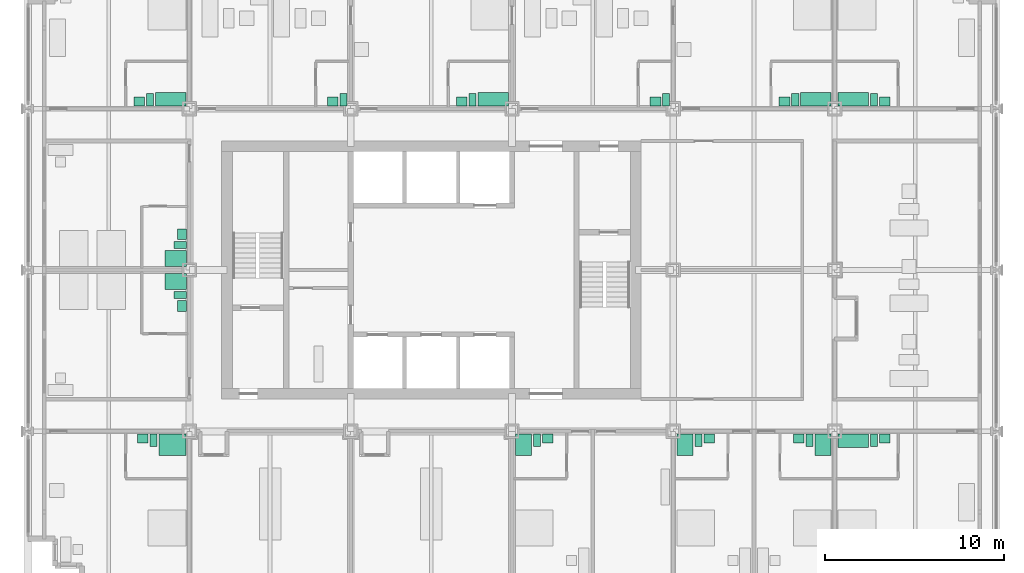
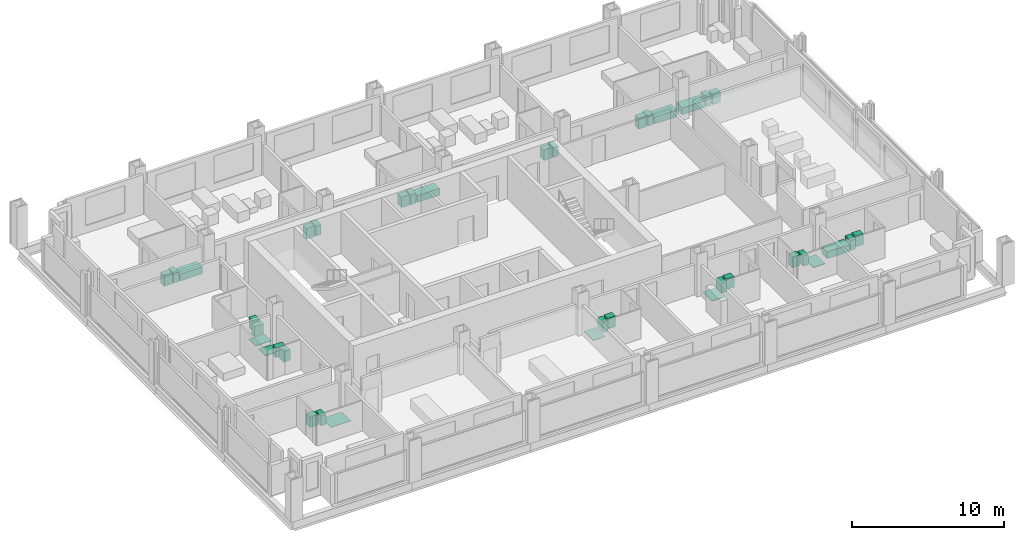
# One storey, part 17 of 18: 37 sanitary terminals.
"""IFC4 building model written with IfcOpenShell, lengths in metres."""

from ifc_helpers import new_model, si_unit, direction, frame, origin, origin_2d, place, context, subcontext, project, spatial, rectangle, extrude, element, save


model = new_model("IFC4")

# Units and contexts
model_context = context("Model", 3, precision=1e-05, world=origin(), true_north=direction((0.0, 1.0)))
body_context = subcontext(model_context, "Body", "Model", "MODEL_VIEW")
ifc_project = project(units=[si_unit("LENGTHUNIT", "METRE"), si_unit("AREAUNIT", "SQUARE_METRE"), si_unit("VOLUMEUNIT", "CUBIC_METRE"), si_unit("PLANEANGLEUNIT", "RADIAN"), si_unit("MASSUNIT", "GRAM", prefix="KILO")], contexts=[model_context])

# Site, building, storey
site_placement = place(None, origin())
site = spatial("IfcSite", under=ifc_project, at=site_placement, CompositionType="ELEMENT")
building_placement = place(site_placement, origin())
building = spatial("IfcBuilding", under=site, at=building_placement, Name="Loomwork Tower", CompositionType="ELEMENT")
storey_placement = place(building_placement, frame((0.0, 0.0, 28.0)))
storey = spatial("IfcBuildingStorey", under=building, at=storey_placement, Name="L05", CompositionType="ELEMENT", Elevation=28.0)

# Sanitary terminals
sanitary_terminal_1_placement = place(storey_placement, frame((8.050048828125, 8.25, 0.0), z_axis=(0.0, 0.0, 1.0), x_axis=(1.0, 0.0, 0.0)))
element("IfcSanitaryTerminal", 1, at=sanitary_terminal_1_placement, inside=storey, Name="Roll-in shower floor L05", PredefinedType="SHOWER", context=body_context, shape_type="SweptSolid", body=[
    extrude(rectangle(XDim=1.5, YDim=1.199951171875, at=origin_2d()), origin(), (0.0, 0.0, 1.0), 0.030029296875),
])
sanitary_terminal_2_placement = place(storey_placement, frame((7.0, 8.5, 0.0), z_axis=(0.0, 0.0, 1.0), x_axis=(1.0, 0.0, 0.0)))
element("IfcSanitaryTerminal", 2, at=sanitary_terminal_2_placement, inside=storey, Name="WC L05", PredefinedType="TOILETPAN", context=body_context, shape_type="SweptSolid", body=[
    extrude(rectangle(XDim=0.39990234375, YDim=0.699951171875, at=origin_2d()), origin(), (0.0, 0.0, 1.0), 0.800048828125),
])
sanitary_terminal_3_placement = place(storey_placement, frame((6.39990234375, 8.60009765625, 0.0), z_axis=(0.0, 0.0, 1.0), x_axis=(1.0, 0.0, 0.0)))
element("IfcSanitaryTerminal", 3, at=sanitary_terminal_3_placement, inside=storey, Name="Basin vanity L05", PredefinedType="WASHHANDBASIN", context=body_context, shape_type="SweptSolid", body=[
    extrude(rectangle(XDim=0.60009765625, YDim=0.5, at=origin_2d()), origin(), (0.0, 0.0, 1.0), 0.85009765625),
])
sanitary_terminal_4_placement = place(storey_placement, frame((27.64990234375, 8.25, 0.0), z_axis=(0.0, 0.0, 1.0), x_axis=(1.0, 0.0, 0.0)))
element("IfcSanitaryTerminal", 4, at=sanitary_terminal_4_placement, inside=storey, Name="Shower tray L05", PredefinedType="SHOWER", context=body_context, shape_type="SweptSolid", body=[
    extrude(rectangle(XDim=0.89990234375, YDim=1.199951171875, at=origin_2d()), origin(), (0.0, 0.0, 1.0), 0.050048828125),
])
sanitary_terminal_5_placement = place(storey_placement, frame((28.39990234375, 8.5, 0.0), z_axis=(0.0, 0.0, 1.0), x_axis=(1.0, 0.0, 0.0)))
element("IfcSanitaryTerminal", 5, at=sanitary_terminal_5_placement, inside=storey, Name="WC L05", PredefinedType="TOILETPAN", context=body_context, shape_type="SweptSolid", body=[
    extrude(rectangle(XDim=0.39990234375, YDim=0.699951171875, at=origin_2d()), origin(), (0.0, 0.0, 1.0), 0.800048828125),
])
sanitary_terminal_6_placement = place(storey_placement, frame((29.0, 8.60009765625, 0.0), z_axis=(0.0, 0.0, 1.0), x_axis=(1.0, 0.0, 0.0)))
element("IfcSanitaryTerminal", 6, at=sanitary_terminal_6_placement, inside=storey, Name="Basin vanity L05", PredefinedType="WASHHANDBASIN", context=body_context, shape_type="SweptSolid", body=[
    extrude(rectangle(XDim=0.60009765625, YDim=0.5, at=origin_2d()), origin(), (0.0, 0.0, 1.0), 0.85009765625),
])
sanitary_terminal_7_placement = place(storey_placement, frame((36.64990234375, 8.25, 0.0), z_axis=(0.0, 0.0, 1.0), x_axis=(1.0, 0.0, 0.0)))
element("IfcSanitaryTerminal", 7, at=sanitary_terminal_7_placement, inside=storey, Name="Shower tray L05", PredefinedType="SHOWER", context=body_context, shape_type="SweptSolid", body=[
    extrude(rectangle(XDim=0.89990234375, YDim=1.199951171875, at=origin_2d()), origin(), (0.0, 0.0, 1.0), 0.050048828125),
])
sanitary_terminal_8_placement = place(storey_placement, frame((37.39990234375, 8.5, 0.0), z_axis=(0.0, 0.0, 1.0), x_axis=(1.0, 0.0, 0.0)))
element("IfcSanitaryTerminal", 8, at=sanitary_terminal_8_placement, inside=storey, Name="WC L05", PredefinedType="TOILETPAN", context=body_context, shape_type="SweptSolid", body=[
    extrude(rectangle(XDim=0.39990234375, YDim=0.699951171875, at=origin_2d()), origin(), (0.0, 0.0, 1.0), 0.800048828125),
])
sanitary_terminal_9_placement = place(storey_placement, frame((38.0, 8.60009765625, 0.0), z_axis=(0.0, 0.0, 1.0), x_axis=(1.0, 0.0, 0.0)))
element("IfcSanitaryTerminal", 9, at=sanitary_terminal_9_placement, inside=storey, Name="Basin vanity L05", PredefinedType="WASHHANDBASIN", context=body_context, shape_type="SweptSolid", body=[
    extrude(rectangle(XDim=0.60009765625, YDim=0.5, at=origin_2d()), origin(), (0.0, 0.0, 1.0), 0.85009765625),
])
sanitary_terminal_10_placement = place(storey_placement, frame((44.35009765625, 8.25, 0.0), z_axis=(0.0, 0.0, 1.0), x_axis=(1.0, 0.0, 0.0)))
element("IfcSanitaryTerminal", 10, at=sanitary_terminal_10_placement, inside=storey, Name="Shower tray L05", PredefinedType="SHOWER", context=body_context, shape_type="SweptSolid", body=[
    extrude(rectangle(XDim=0.89990234375, YDim=1.199951171875, at=origin_2d()), origin(), (0.0, 0.0, 1.0), 0.050048828125),
])
sanitary_terminal_11_placement = place(storey_placement, frame((43.60009765625, 8.5, 0.0), z_axis=(0.0, 0.0, 1.0), x_axis=(1.0, 0.0, 0.0)))
element("IfcSanitaryTerminal", 11, at=sanitary_terminal_11_placement, inside=storey, Name="WC L05", PredefinedType="TOILETPAN", context=body_context, shape_type="SweptSolid", body=[
    extrude(rectangle(XDim=0.39990234375, YDim=0.699951171875, at=origin_2d()), origin(), (0.0, 0.0, 1.0), 0.800048828125),
])
sanitary_terminal_12_placement = place(storey_placement, frame((43.0, 8.60009765625, 0.0), z_axis=(0.0, 0.0, 1.0), x_axis=(1.0, 0.0, 0.0)))
element("IfcSanitaryTerminal", 12, at=sanitary_terminal_12_placement, inside=storey, Name="Basin vanity L05", PredefinedType="WASHHANDBASIN", context=body_context, shape_type="SweptSolid", body=[
    extrude(rectangle(XDim=0.60009765625, YDim=0.5, at=origin_2d()), origin(), (0.0, 0.0, 1.0), 0.85009765625),
])
sanitary_terminal_13_placement = place(storey_placement, frame((46.050048828125, 8.47509765625, 0.0), z_axis=(0.0, 0.0, 1.0), x_axis=(1.0, 0.0, 0.0)))
element("IfcSanitaryTerminal", 13, at=sanitary_terminal_13_placement, inside=storey, Name="Bath L05", PredefinedType="BATH", context=body_context, shape_type="SweptSolid", body=[
    extrude(rectangle(XDim=1.699951171875, YDim=0.75, at=origin_2d()), origin(), (0.0, 0.0, 1.0), 0.550048828125),
])
sanitary_terminal_14_placement = place(storey_placement, frame((47.199951171875, 8.5, 0.0), z_axis=(0.0, 0.0, 1.0), x_axis=(1.0, 0.0, 0.0)))
element("IfcSanitaryTerminal", 14, at=sanitary_terminal_14_placement, inside=storey, Name="WC L05", PredefinedType="TOILETPAN", context=body_context, shape_type="SweptSolid", body=[
    extrude(rectangle(XDim=0.39990234375, YDim=0.699951171875, at=origin_2d()), origin(), (0.0, 0.0, 1.0), 0.800048828125),
])
sanitary_terminal_15_placement = place(storey_placement, frame((47.800048828125, 8.60009765625, 0.0), z_axis=(0.0, 0.0, 1.0), x_axis=(1.0, 0.0, 0.0)))
element("IfcSanitaryTerminal", 15, at=sanitary_terminal_15_placement, inside=storey, Name="Basin vanity L05", PredefinedType="WASHHANDBASIN", context=body_context, shape_type="SweptSolid", body=[
    extrude(rectangle(XDim=0.60009765625, YDim=0.5, at=origin_2d()), origin(), (0.0, 0.0, 1.0), 0.85009765625),
])
sanitary_terminal_16_placement = place(storey_placement, frame((7.949951171875, 27.52490234375, 0.0), z_axis=(0.0, 0.0, 1.0), x_axis=(1.0, 0.0, 0.0)))
element("IfcSanitaryTerminal", 16, at=sanitary_terminal_16_placement, inside=storey, Name="Bath L05", PredefinedType="BATH", context=body_context, shape_type="SweptSolid", body=[
    extrude(rectangle(XDim=1.699951171875, YDim=0.75, at=origin_2d()), origin(), (0.0, 0.0, 1.0), 0.550048828125),
])
sanitary_terminal_17_placement = place(storey_placement, frame((6.800048828125, 27.5, 0.0), z_axis=(0.0, 0.0, 1.0), x_axis=(1.0, 0.0, 0.0)))
element("IfcSanitaryTerminal", 17, at=sanitary_terminal_17_placement, inside=storey, Name="WC L05", PredefinedType="TOILETPAN", context=body_context, shape_type="SweptSolid", body=[
    extrude(rectangle(XDim=0.39990234375, YDim=0.699951171875, at=origin_2d()), origin(), (0.0, 0.0, 1.0), 0.800048828125),
])
sanitary_terminal_18_placement = place(storey_placement, frame((6.199951171875, 27.39990234375, 0.0), z_axis=(0.0, 0.0, 1.0), x_axis=(1.0, 0.0, 0.0)))
element("IfcSanitaryTerminal", 18, at=sanitary_terminal_18_placement, inside=storey, Name="Basin vanity L05", PredefinedType="WASHHANDBASIN", context=body_context, shape_type="SweptSolid", body=[
    extrude(rectangle(XDim=0.60009765625, YDim=0.5, at=origin_2d()), origin(), (0.0, 0.0, 1.0), 0.85009765625),
])
sanitary_terminal_19_placement = place(storey_placement, frame((17.60009765625, 27.5, 0.0), z_axis=(0.0, 0.0, 1.0), x_axis=(1.0, 0.0, 0.0)))
element("IfcSanitaryTerminal", 19, at=sanitary_terminal_19_placement, inside=storey, Name="WC L05", PredefinedType="TOILETPAN", context=body_context, shape_type="SweptSolid", body=[
    extrude(rectangle(XDim=0.39990234375, YDim=0.699951171875, at=origin_2d()), origin(), (0.0, 0.0, 1.0), 0.800048828125),
])
sanitary_terminal_20_placement = place(storey_placement, frame((17.0, 27.39990234375, 0.0), z_axis=(0.0, 0.0, 1.0), x_axis=(1.0, 0.0, 0.0)))
element("IfcSanitaryTerminal", 20, at=sanitary_terminal_20_placement, inside=storey, Name="Basin vanity L05", PredefinedType="WASHHANDBASIN", context=body_context, shape_type="SweptSolid", body=[
    extrude(rectangle(XDim=0.60009765625, YDim=0.5, at=origin_2d()), origin(), (0.0, 0.0, 1.0), 0.85009765625),
])
sanitary_terminal_21_placement = place(storey_placement, frame((25.949951171875, 27.52490234375, 0.0), z_axis=(0.0, 0.0, 1.0), x_axis=(1.0, 0.0, 0.0)))
element("IfcSanitaryTerminal", 21, at=sanitary_terminal_21_placement, inside=storey, Name="Bath L05", PredefinedType="BATH", context=body_context, shape_type="SweptSolid", body=[
    extrude(rectangle(XDim=1.699951171875, YDim=0.75, at=origin_2d()), origin(), (0.0, 0.0, 1.0), 0.550048828125),
])
sanitary_terminal_22_placement = place(storey_placement, frame((24.800048828125, 27.5, 0.0), z_axis=(0.0, 0.0, 1.0), x_axis=(1.0, 0.0, 0.0)))
element("IfcSanitaryTerminal", 22, at=sanitary_terminal_22_placement, inside=storey, Name="WC L05", PredefinedType="TOILETPAN", context=body_context, shape_type="SweptSolid", body=[
    extrude(rectangle(XDim=0.39990234375, YDim=0.699951171875, at=origin_2d()), origin(), (0.0, 0.0, 1.0), 0.800048828125),
])
sanitary_terminal_23_placement = place(storey_placement, frame((24.199951171875, 27.39990234375, 0.0), z_axis=(0.0, 0.0, 1.0), x_axis=(1.0, 0.0, 0.0)))
element("IfcSanitaryTerminal", 23, at=sanitary_terminal_23_placement, inside=storey, Name="Basin vanity L05", PredefinedType="WASHHANDBASIN", context=body_context, shape_type="SweptSolid", body=[
    extrude(rectangle(XDim=0.60009765625, YDim=0.5, at=origin_2d()), origin(), (0.0, 0.0, 1.0), 0.85009765625),
])
sanitary_terminal_24_placement = place(storey_placement, frame((35.60009765625, 27.5, 0.0), z_axis=(0.0, 0.0, 1.0), x_axis=(1.0, 0.0, 0.0)))
element("IfcSanitaryTerminal", 24, at=sanitary_terminal_24_placement, inside=storey, Name="WC L05", PredefinedType="TOILETPAN", context=body_context, shape_type="SweptSolid", body=[
    extrude(rectangle(XDim=0.39990234375, YDim=0.699951171875, at=origin_2d()), origin(), (0.0, 0.0, 1.0), 0.800048828125),
])
sanitary_terminal_25_placement = place(storey_placement, frame((35.0, 27.39990234375, 0.0), z_axis=(0.0, 0.0, 1.0), x_axis=(1.0, 0.0, 0.0)))
element("IfcSanitaryTerminal", 25, at=sanitary_terminal_25_placement, inside=storey, Name="Basin vanity L05", PredefinedType="WASHHANDBASIN", context=body_context, shape_type="SweptSolid", body=[
    extrude(rectangle(XDim=0.60009765625, YDim=0.5, at=origin_2d()), origin(), (0.0, 0.0, 1.0), 0.85009765625),
])
sanitary_terminal_26_placement = place(storey_placement, frame((43.949951171875, 27.52490234375, 0.0), z_axis=(0.0, 0.0, 1.0), x_axis=(1.0, 0.0, 0.0)))
element("IfcSanitaryTerminal", 26, at=sanitary_terminal_26_placement, inside=storey, Name="Bath L05", PredefinedType="BATH", context=body_context, shape_type="SweptSolid", body=[
    extrude(rectangle(XDim=1.699951171875, YDim=0.75, at=origin_2d()), origin(), (0.0, 0.0, 1.0), 0.550048828125),
])
sanitary_terminal_27_placement = place(storey_placement, frame((42.800048828125, 27.5, 0.0), z_axis=(0.0, 0.0, 1.0), x_axis=(1.0, 0.0, 0.0)))
element("IfcSanitaryTerminal", 27, at=sanitary_terminal_27_placement, inside=storey, Name="WC L05", PredefinedType="TOILETPAN", context=body_context, shape_type="SweptSolid", body=[
    extrude(rectangle(XDim=0.39990234375, YDim=0.699951171875, at=origin_2d()), origin(), (0.0, 0.0, 1.0), 0.800048828125),
])
sanitary_terminal_28_placement = place(storey_placement, frame((42.199951171875, 27.39990234375, 0.0), z_axis=(0.0, 0.0, 1.0), x_axis=(1.0, 0.0, 0.0)))
element("IfcSanitaryTerminal", 28, at=sanitary_terminal_28_placement, inside=storey, Name="Basin vanity L05", PredefinedType="WASHHANDBASIN", context=body_context, shape_type="SweptSolid", body=[
    extrude(rectangle(XDim=0.60009765625, YDim=0.5, at=origin_2d()), origin(), (0.0, 0.0, 1.0), 0.85009765625),
])
sanitary_terminal_29_placement = place(storey_placement, frame((46.050048828125, 27.52490234375, 0.0), z_axis=(0.0, 0.0, 1.0), x_axis=(1.0, 0.0, 0.0)))
element("IfcSanitaryTerminal", 29, at=sanitary_terminal_29_placement, inside=storey, Name="Bath L05", PredefinedType="BATH", context=body_context, shape_type="SweptSolid", body=[
    extrude(rectangle(XDim=1.699951171875, YDim=0.75, at=origin_2d()), origin(), (0.0, 0.0, 1.0), 0.550048828125),
])
sanitary_terminal_30_placement = place(storey_placement, frame((47.199951171875, 27.5, 0.0), z_axis=(0.0, 0.0, 1.0), x_axis=(1.0, 0.0, 0.0)))
element("IfcSanitaryTerminal", 30, at=sanitary_terminal_30_placement, inside=storey, Name="WC L05", PredefinedType="TOILETPAN", context=body_context, shape_type="SweptSolid", body=[
    extrude(rectangle(XDim=0.39990234375, YDim=0.699951171875, at=origin_2d()), origin(), (0.0, 0.0, 1.0), 0.800048828125),
])
sanitary_terminal_31_placement = place(storey_placement, frame((47.800048828125, 27.39990234375, 0.0), z_axis=(0.0, 0.0, 1.0), x_axis=(1.0, 0.0, 0.0)))
element("IfcSanitaryTerminal", 31, at=sanitary_terminal_31_placement, inside=storey, Name="Basin vanity L05", PredefinedType="WASHHANDBASIN", context=body_context, shape_type="SweptSolid", body=[
    extrude(rectangle(XDim=0.60009765625, YDim=0.5, at=origin_2d()), origin(), (0.0, 0.0, 1.0), 0.85009765625),
])
sanitary_terminal_32_placement = place(storey_placement, frame((8.25, 17.35009765625, 0.0), z_axis=(0.0, 0.0, 1.0), x_axis=(1.0, 0.0, 0.0)))
element("IfcSanitaryTerminal", 32, at=sanitary_terminal_32_placement, inside=storey, Name="Shower tray L05", PredefinedType="SHOWER", context=body_context, shape_type="SweptSolid", body=[
    extrude(rectangle(XDim=1.199951171875, YDim=0.89990234375, at=origin_2d()), origin(), (0.0, 0.0, 1.0), 0.050048828125),
])
sanitary_terminal_33_placement = place(storey_placement, frame((8.5, 16.60009765625, 0.0), z_axis=(0.0, 0.0, 1.0), x_axis=(1.0, 0.0, 0.0)))
element("IfcSanitaryTerminal", 33, at=sanitary_terminal_33_placement, inside=storey, Name="WC L05", PredefinedType="TOILETPAN", context=body_context, shape_type="SweptSolid", body=[
    extrude(rectangle(XDim=0.699951171875, YDim=0.39990234375, at=origin_2d()), origin(), (0.0, 0.0, 1.0), 0.800048828125),
])
sanitary_terminal_34_placement = place(storey_placement, frame((8.60009765625, 16.0, 0.0), z_axis=(0.0, 0.0, 1.0), x_axis=(1.0, 0.0, 0.0)))
element("IfcSanitaryTerminal", 34, at=sanitary_terminal_34_placement, inside=storey, Name="Basin vanity L05", PredefinedType="WASHHANDBASIN", context=body_context, shape_type="SweptSolid", body=[
    extrude(rectangle(XDim=0.5, YDim=0.60009765625, at=origin_2d()), origin(), (0.0, 0.0, 1.0), 0.85009765625),
])
sanitary_terminal_35_placement = place(storey_placement, frame((8.25, 18.64990234375, 0.0), z_axis=(0.0, 0.0, 1.0), x_axis=(1.0, 0.0, 0.0)))
element("IfcSanitaryTerminal", 35, at=sanitary_terminal_35_placement, inside=storey, Name="Shower tray L05", PredefinedType="SHOWER", context=body_context, shape_type="SweptSolid", body=[
    extrude(rectangle(XDim=1.199951171875, YDim=0.89990234375, at=origin_2d()), origin(), (0.0, 0.0, 1.0), 0.050048828125),
])
sanitary_terminal_36_placement = place(storey_placement, frame((8.5, 19.39990234375, 0.0), z_axis=(0.0, 0.0, 1.0), x_axis=(1.0, 0.0, 0.0)))
element("IfcSanitaryTerminal", 36, at=sanitary_terminal_36_placement, inside=storey, Name="WC L05", PredefinedType="TOILETPAN", context=body_context, shape_type="SweptSolid", body=[
    extrude(rectangle(XDim=0.699951171875, YDim=0.39990234375, at=origin_2d()), origin(), (0.0, 0.0, 1.0), 0.800048828125),
])
sanitary_terminal_37_placement = place(storey_placement, frame((8.60009765625, 20.0, 0.0), z_axis=(0.0, 0.0, 1.0), x_axis=(1.0, 0.0, 0.0)))
element("IfcSanitaryTerminal", 37, at=sanitary_terminal_37_placement, inside=storey, Name="Basin vanity L05", PredefinedType="WASHHANDBASIN", context=body_context, shape_type="SweptSolid", body=[
    extrude(rectangle(XDim=0.5, YDim=0.60009765625, at=origin_2d()), origin(), (0.0, 0.0, 1.0), 0.85009765625),
])

save(model, "model.ifc")
